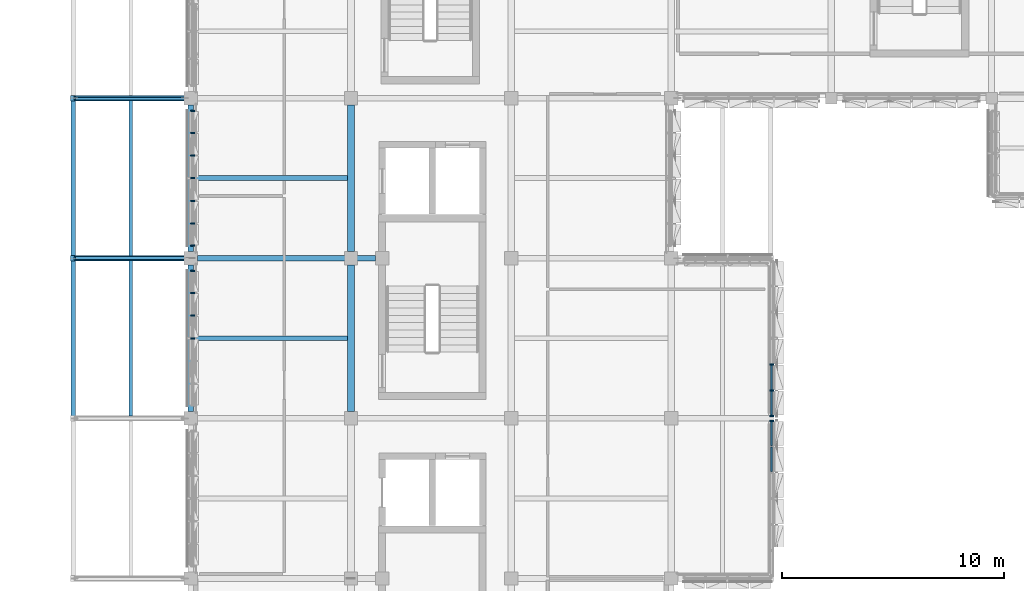
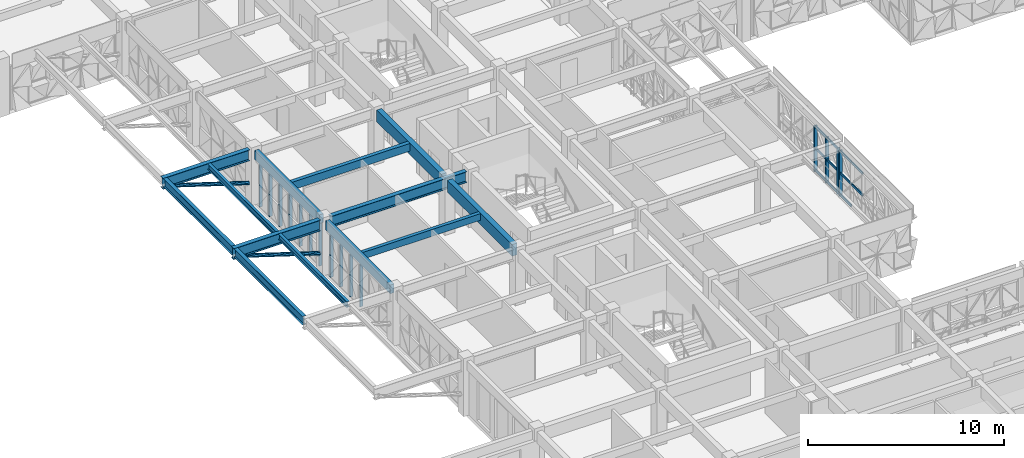
# One storey, part 5 of 99: 28 members, 13 beams, 4 elements without a shape of their own.
"""IFC4 building model written with IfcOpenShell, lengths in metres."""

from ifc_helpers import new_model, si_unit, direction, frame, origin, origin_2d, place, context, subcontext, project, spatial, rectangle, hollow_circle, i_section, extrude, material, material_profile, profile_set, type_object, element, aggregate, save


model = new_model("IFC4")

# Units and contexts
model_context = context("Model", 3, precision=1e-05, world=origin(), true_north=direction((0.0, 1.0)))
body_context = subcontext(model_context, "Body", "Model", "MODEL_VIEW")
ifc_project = project(units=[si_unit("LENGTHUNIT", "METRE"), si_unit("AREAUNIT", "SQUARE_METRE"), si_unit("VOLUMEUNIT", "CUBIC_METRE"), si_unit("PLANEANGLEUNIT", "RADIAN"), si_unit("MASSUNIT", "GRAM", prefix="KILO")], contexts=[model_context])

# Site, building, storey
site_placement = place(None, origin())
site = spatial("IfcSite", under=ifc_project, at=site_placement, CompositionType="ELEMENT")
building_placement = place(site_placement, origin())
building = spatial("IfcBuilding", under=site, at=building_placement, Name="Alvorim Cloister Faculty of Sciences", CompositionType="ELEMENT")
storey_placement = place(building_placement, frame((0.0, 0.0, 12.14990234375)))
storey = spatial("IfcBuildingStorey", under=building, at=storey_placement, Name="L03", CompositionType="ELEMENT", Elevation=12.14990234375)

# Beams
ifc_material_1 = material(Name="Glulam GL32h", Category="wood")
ifc_material_profile_1 = material_profile(ifc_material_1, rectangle(XDim=0.300048828125, YDim=0.719970703125, at=origin_2d()), Name="GL32-BM-300x720")
ifc_profile_set_1 = profile_set([ifc_material_profile_1], Name="Glulam GL32h")
beam_type_1 = type_object("IfcBeamType", Name="BM-GL-300x720", PredefinedType="BEAM", material=ifc_profile_set_1)
for number, where, z_axis, x_axis, name in (
    (1, (14.39990234375, 29.10009765625, 3.030029296875), (0.0, 1.0, 0.0), (-1.0, 0.0, 0.0), "L03 Primary Girder BM-1606"),
    (2, (14.39990234375, 36.300048828125, 3.030029296875), (0.0, 1.0, 0.0), (-1.0, 0.0, 0.0), "L03 Primary Girder BM-1607"),
):
    element("IfcBeam", number, at=place(storey_placement, frame(where, z_axis=z_axis, x_axis=x_axis)), inside=storey, type_object=beam_type_1, Name=name, PredefinedType="BEAM", context=body_context, shape_type="SweptSolid", body=[
        extrude(rectangle(XDim=0.300048828125, YDim=0.719970703125, at=origin_2d()), origin(), (0.0, 0.0, 1.0), 6.599853515625),
    ])
ifc_material_2 = material(Name="Glulam GL28h", Category="wood")
ifc_material_profile_2 = material_profile(ifc_material_2, rectangle(XDim=0.199951171875, YDim=0.419921875, at=origin_2d()), Name="GL28-JST-200x420")
ifc_profile_set_2 = profile_set([ifc_material_profile_2], Name="Glulam GL28h")
beam_type_2 = type_object("IfcBeamType", Name="BM-JST-GL-200x420", PredefinedType="JOIST", material=ifc_profile_set_2)
beam_1_placement = place(storey_placement, frame((7.320068359375, 32.39990234375, 3.18017578125), z_axis=(1.0, 0.0, 0.0), x_axis=(0.0, 1.0, 0.0)))
element("IfcBeam", 3, at=beam_1_placement, inside=storey, type_object=beam_type_2, Name="L03 Secondary Floor Joist BM-1680", PredefinedType="JOIST", context=body_context, shape_type="SweptSolid", body=[
    extrude(rectangle(XDim=0.199951171875, YDim=0.419921875, at=origin_2d()), origin(), (0.0, 0.0, 1.0), 6.929931640625),
])
ifc_material_profile_3 = material_profile(ifc_material_2, rectangle(XDim=0.219970703125, YDim=0.47998046875, at=origin_2d()), Name="GL28-JST-220x480")
ifc_profile_set_3 = profile_set([ifc_material_profile_3], Name="Glulam GL28h")
beam_type_3 = type_object("IfcBeamType", Name="BM-JST-GL-220x480", PredefinedType="JOIST", material=ifc_profile_set_3)
beam_2_placement = place(storey_placement, frame((7.320068359375, 39.60009765625, 3.150146484375), z_axis=(1.0, 0.0, 0.0), x_axis=(0.0, 1.0, 0.0)))
element("IfcBeam", 4, at=beam_2_placement, inside=storey, type_object=beam_type_3, Name="L03 Secondary Floor Joist BM-1681", PredefinedType="JOIST", context=body_context, shape_type="SweptSolid", body=[
    extrude(rectangle(XDim=0.219970703125, YDim=0.47998046875, at=origin_2d()), origin(), (0.0, 0.0, 1.0), 6.929931640625),
])
ifc_material_profile_4 = material_profile(ifc_material_2, rectangle(XDim=0.239990234375, YDim=0.5400390625, at=origin_2d()), Name="GL28-SPD-240x540")
ifc_profile_set_4 = profile_set([ifc_material_profile_4], Name="Glulam GL28h")
beam_type_4 = type_object("IfcBeamType", Name="BM-SPD-GL-240x540", PredefinedType="SPANDREL", material=ifc_profile_set_4)
for number, where, z_axis, x_axis, name in (
    (5, (7.199951171875, 29.10009765625, 3.1201171875), (0.0, 1.0, 0.0), (-1.0, 0.0, 0.0), "L03 Primary Girder BM-1590"),
    (6, (7.199951171875, 36.300048828125, 3.1201171875), (0.0, 1.0, 0.0), (-1.0, 0.0, 0.0), "L03 Primary Girder BM-1591"),
):
    element("IfcBeam", number, at=place(storey_placement, frame(where, z_axis=z_axis, x_axis=x_axis)), inside=storey, type_object=beam_type_4, Name=name, PredefinedType="SPANDREL", context=body_context, shape_type="SweptSolid", body=[
        extrude(rectangle(XDim=0.239990234375, YDim=0.5400390625, at=origin_2d()), origin(), (0.0, 0.0, 1.0), 6.599853515625),
    ])
ifc_material_3 = material(Name="Steel ASTM A572 Grade 50", Category="steel")
ifc_material_profile_5 = material_profile(ifc_material_3, i_section(OverallWidth=0.1708984375, OverallDepth=0.35498046875, WebThickness=0.007080078125, FlangeThickness=0.01171875, FilletRadius=0.012939453125, at=origin_2d()), Name="W360x51.0")
ifc_profile_set_5 = profile_set([ifc_material_profile_5], Name="Steel ASTM A572 Grade 50")
beam_type_5 = type_object("IfcBeamType", Name="BM-STL-W360", PredefinedType="JOIST", material=ifc_profile_set_5)
for number, where, z_axis, x_axis, name in (
    (7, (4.5, 28.909912109375, 3.212646484375), (0.0, 1.0, 0.0), (-1.0, 0.0, 0.0), "L03 Cantilever Deck Joist BM-0076"),
    (8, (4.5, 36.110107421875, 3.212646484375), (0.0, 1.0, 0.0), (-1.0, 0.0, 0.0), "L03 Cantilever Deck Joist BM-0078"),
):
    element("IfcBeam", number, at=place(storey_placement, frame(where, z_axis=z_axis, x_axis=x_axis)), inside=storey, type_object=beam_type_5, Name=name, PredefinedType="JOIST", context=body_context, shape_type="SweptSolid", body=[
        extrude(i_section(OverallWidth=0.1708984375, OverallDepth=0.35498046875, WebThickness=0.007080078125, FlangeThickness=0.01171875, FilletRadius=0.012939453125, at=origin_2d()), origin(), (0.0, 0.0, 1.0), 6.97998046875),
    ])
ifc_material_profile_6 = material_profile(ifc_material_3, i_section(OverallWidth=0.208984375, OverallDepth=0.532958984375, WebThickness=0.01025390625, FlangeThickness=0.015625, FilletRadius=0.01611328125, at=origin_2d()), Name="W530x92.0")
ifc_profile_set_6 = profile_set([ifc_material_profile_6], Name="Steel ASTM A572 Grade 50")
beam_type_6 = type_object("IfcBeamType", Name="BM-STL-W530", PredefinedType="BEAM", material=ifc_profile_set_6)
for number, where, z_axis, x_axis, name in (
    (9, (1.919921875, 28.909912109375, 3.12353515625), (0.0, 1.0, 0.0), (-1.0, 0.0, 0.0), "L03 Cantilever Tip Header Girder BM-0075"),
    (10, (1.919921875, 36.110107421875, 3.12353515625), (0.0, 1.0, 0.0), (-1.0, 0.0, 0.0), "L03 Cantilever Tip Header Girder BM-0077"),
):
    element("IfcBeam", number, at=place(storey_placement, frame(where, z_axis=z_axis, x_axis=x_axis)), inside=storey, type_object=beam_type_6, Name=name, PredefinedType="BEAM", context=body_context, shape_type="SweptSolid", body=[
        extrude(i_section(OverallWidth=0.208984375, OverallDepth=0.532958984375, WebThickness=0.01025390625, FlangeThickness=0.015625, FilletRadius=0.01611328125, at=origin_2d()), origin(), (0.0, 0.0, 1.0), 6.97998046875),
    ])
ifc_material_profile_7 = material_profile(ifc_material_3, i_section(OverallWidth=0.25390625, OverallDepth=0.68408203125, WebThickness=0.012451171875, FlangeThickness=0.01904296875, FilletRadius=0.01904296875, at=origin_2d()), Name="W690x140.0")
ifc_profile_set_7 = profile_set([ifc_material_profile_7], Name="Steel ASTM A572 Grade 50")
beam_type_7 = type_object("IfcBeamType", Name="BM-STL-W690", PredefinedType="BEAM", material=ifc_profile_set_7)
beam_3_placement = place(storey_placement, frame((7.5, 36.0, 3.048095703125), z_axis=(1.0, 0.0, 0.0), x_axis=(0.0, 1.0, 0.0)))
element("IfcBeam", 11, at=beam_3_placement, inside=storey, type_object=beam_type_7, Name="L03 Cantilever Backspan Girder BM-0065", PredefinedType="BEAM", context=body_context, shape_type="SweptSolid", body=[
    extrude(i_section(OverallWidth=0.25390625, OverallDepth=0.68408203125, WebThickness=0.012451171875, FlangeThickness=0.01904296875, FilletRadius=0.01904296875, at=origin_2d()), origin(), (0.0, 0.0, 1.0), 8.0),
])
for number, where, z_axis, x_axis, name in (
    (12, (1.800048828125, 36.0, 3.048095703125), (1.0, 0.0, 0.0), (0.0, 1.0, 0.0), "L03 Cantilever Overhang Girder BM-0066"),
    (13, (1.800048828125, 43.199951171875, 3.048095703125), (1.0, 0.0, 0.0), (0.0, 1.0, 0.0), "L03 Cantilever Overhang Girder BM-0068"),
):
    element("IfcBeam", number, at=place(storey_placement, frame(where, z_axis=z_axis, x_axis=x_axis)), inside=storey, type_object=beam_type_7, Name=name, PredefinedType="BEAM", context=body_context, shape_type="SweptSolid", body=[
        extrude(i_section(OverallWidth=0.25390625, OverallDepth=0.68408203125, WebThickness=0.012451171875, FlangeThickness=0.01904296875, FilletRadius=0.01904296875, at=origin_2d()), origin(), (0.0, 0.0, 1.0), 5.099853515625),
    ])

# Curtain wall, members
ifc_material_4 = material(Name="Aluminium and Low-E Glass Curtain Wall", Category="aluminium")
curtain_wall_type_1 = type_object("IfcCurtainWallType", Name="CW-TRI-6120x2850", PredefinedType="USERDEFINED", material=ifc_material_4)
curtain_wall_1_placement = place(storey_placement, origin())
curtain_wall_1 = element("IfcCurtainWall", 14, at=curtain_wall_1_placement, inside=storey, type_object=curtain_wall_type_1, Name="L03 Diagonal Cassette Curtain Wall CW-0101", ObjectType="UNITISED CURTAIN WALL", PredefinedType="USERDEFINED")
ifc_material_5 = material(Name="Aluminium Alloy 6063-T6", Category="aluminium")
ifc_material_profile_8 = material_profile(ifc_material_5, rectangle(XDim=0.06494140625, YDim=0.179931640625, at=origin_2d()), Name="ALU-MUL-65x180")
ifc_profile_set_8 = profile_set([ifc_material_profile_8], Name="Aluminium Alloy 6063-T6")
member_type_1 = type_object("IfcMemberType", Name="CW-MUL-65x180", PredefinedType="MULLION", material=ifc_profile_set_8)
member_1_placement = place(storey_placement, frame((7.2900390625, 32.39990234375, 0.0), z_axis=(0.0, 0.0, 1.0), x_axis=(0.0, 1.0, 0.0)))
member_1 = element("IfcMember", 15, at=member_1_placement, type_object=member_type_1, Name="CW-0101 Mullion 4", PredefinedType="MULLION", context=body_context, shape_type="SweptSolid", body=[
    extrude(rectangle(XDim=0.06494140625, YDim=0.179931640625, at=origin_2d()), origin(), (0.0, 0.0, 1.0), 2.85009765625),
])
member_2_placement = place(storey_placement, frame((7.2900390625, 33.419921875, 0.0), z_axis=(0.0, 0.0, 1.0), x_axis=(0.0, 1.0, 0.0)))
member_2 = element("IfcMember", 16, at=member_2_placement, type_object=member_type_1, Name="CW-0101 Mullion 5", PredefinedType="MULLION", context=body_context, shape_type="SweptSolid", body=[
    extrude(rectangle(XDim=0.06494140625, YDim=0.179931640625, at=origin_2d()), origin(), (0.0, 0.0, 1.0), 2.85009765625),
])
member_3_placement = place(storey_placement, frame((7.2900390625, 34.43994140625, 0.0), z_axis=(0.0, 0.0, 1.0), x_axis=(0.0, 1.0, 0.0)))
member_3 = element("IfcMember", 17, at=member_3_placement, type_object=member_type_1, Name="CW-0101 Mullion 6", PredefinedType="MULLION", context=body_context, shape_type="SweptSolid", body=[
    extrude(rectangle(XDim=0.06494140625, YDim=0.179931640625, at=origin_2d()), origin(), (0.0, 0.0, 1.0), 2.85009765625),
])
member_4_placement = place(storey_placement, frame((7.2900390625, 35.427490234375, 0.0), z_axis=(0.0, 0.0, 1.0), x_axis=(0.0, 1.0, 0.0)))
member_4 = element("IfcMember", 18, at=member_4_placement, type_object=member_type_1, Name="CW-0101 Mullion 7", PredefinedType="MULLION", context=body_context, shape_type="SweptSolid", body=[
    extrude(rectangle(XDim=0.06494140625, YDim=0.179931640625, at=origin_2d()), origin(), (0.0, 0.0, 1.0), 2.85009765625),
])
aggregate(curtain_wall_1, [member_1, member_2, member_3, member_4])

curtain_wall_2_placement = place(storey_placement, origin())
curtain_wall_2 = element("IfcCurtainWall", 19, at=curtain_wall_2_placement, inside=storey, type_object=curtain_wall_type_1, Name="L03 Diagonal Cassette Curtain Wall CW-0102", ObjectType="UNITISED CURTAIN WALL", PredefinedType="USERDEFINED")
member_5_placement = place(storey_placement, frame((7.2900390625, 36.572509765625, 0.0), z_axis=(0.0, 0.0, 1.0), x_axis=(0.0, 1.0, 0.0)))
member_5 = element("IfcMember", 20, at=member_5_placement, type_object=member_type_1, Name="CW-0102 Mullion 1", PredefinedType="MULLION", context=body_context, shape_type="SweptSolid", body=[
    extrude(rectangle(XDim=0.06494140625, YDim=0.179931640625, at=origin_2d()), origin(), (0.0, 0.0, 1.0), 2.85009765625),
])
member_6_placement = place(storey_placement, frame((7.2900390625, 37.56005859375, 0.0), z_axis=(0.0, 0.0, 1.0), x_axis=(0.0, 1.0, 0.0)))
member_6 = element("IfcMember", 21, at=member_6_placement, type_object=member_type_1, Name="CW-0102 Mullion 2", PredefinedType="MULLION", context=body_context, shape_type="SweptSolid", body=[
    extrude(rectangle(XDim=0.06494140625, YDim=0.179931640625, at=origin_2d()), origin(), (0.0, 0.0, 1.0), 2.85009765625),
])
member_7_placement = place(storey_placement, frame((7.2900390625, 38.580078125, 0.0), z_axis=(0.0, 0.0, 1.0), x_axis=(0.0, 1.0, 0.0)))
member_7 = element("IfcMember", 22, at=member_7_placement, type_object=member_type_1, Name="CW-0102 Mullion 3", PredefinedType="MULLION", context=body_context, shape_type="SweptSolid", body=[
    extrude(rectangle(XDim=0.06494140625, YDim=0.179931640625, at=origin_2d()), origin(), (0.0, 0.0, 1.0), 2.85009765625),
])
member_8_placement = place(storey_placement, frame((7.2900390625, 39.60009765625, 0.0), z_axis=(0.0, 0.0, 1.0), x_axis=(0.0, 1.0, 0.0)))
member_8 = element("IfcMember", 23, at=member_8_placement, type_object=member_type_1, Name="CW-0102 Mullion 4", PredefinedType="MULLION", context=body_context, shape_type="SweptSolid", body=[
    extrude(rectangle(XDim=0.06494140625, YDim=0.179931640625, at=origin_2d()), origin(), (0.0, 0.0, 1.0), 2.85009765625),
])
member_9_placement = place(storey_placement, frame((7.2900390625, 40.6201171875, 0.0), z_axis=(0.0, 0.0, 1.0), x_axis=(0.0, 1.0, 0.0)))
member_9 = element("IfcMember", 24, at=member_9_placement, type_object=member_type_1, Name="CW-0102 Mullion 5", PredefinedType="MULLION", context=body_context, shape_type="SweptSolid", body=[
    extrude(rectangle(XDim=0.06494140625, YDim=0.179931640625, at=origin_2d()), origin(), (0.0, 0.0, 1.0), 2.85009765625),
])
member_10_placement = place(storey_placement, frame((7.2900390625, 41.639892578125, 0.0), z_axis=(0.0, 0.0, 1.0), x_axis=(0.0, 1.0, 0.0)))
member_10 = element("IfcMember", 25, at=member_10_placement, type_object=member_type_1, Name="CW-0102 Mullion 6", PredefinedType="MULLION", context=body_context, shape_type="SweptSolid", body=[
    extrude(rectangle(XDim=0.06494140625, YDim=0.179931640625, at=origin_2d()), origin(), (0.0, 0.0, 1.0), 2.85009765625),
])
member_11_placement = place(storey_placement, frame((7.2900390625, 42.62744140625, 0.0), z_axis=(0.0, 0.0, 1.0), x_axis=(0.0, 1.0, 0.0)))
member_11 = element("IfcMember", 26, at=member_11_placement, type_object=member_type_1, Name="CW-0102 Mullion 7", PredefinedType="MULLION", context=body_context, shape_type="SweptSolid", body=[
    extrude(rectangle(XDim=0.06494140625, YDim=0.179931640625, at=origin_2d()), origin(), (0.0, 0.0, 1.0), 2.85009765625),
])
aggregate(curtain_wall_2, [member_5, member_6, member_7, member_8, member_9, member_10, member_11])

curtain_wall_type_2 = type_object("IfcCurtainWallType", Name="CW-TRI-7040x2857", PredefinedType="USERDEFINED", material=ifc_material_4)
curtain_wall_3_placement = place(storey_placement, origin())
curtain_wall_3 = element("IfcCurtainWall", 27, at=curtain_wall_3_placement, inside=storey, type_object=curtain_wall_type_2, Name="L03 Diagonal Cassette Curtain Wall CW-0141", ObjectType="UNITISED CURTAIN WALL", PredefinedType="USERDEFINED")
member_12_placement = place(storey_placement, frame((33.31005859375, 28.91259765625, 0.0), z_axis=(0.0, 0.0, 1.0), x_axis=(0.0, 1.0, 0.0)))
member_12 = element("IfcMember", 28, at=member_12_placement, type_object=member_type_1, Name="CW-0141 Mullion 1", PredefinedType="MULLION", context=body_context, shape_type="SweptSolid", body=[
    extrude(rectangle(XDim=0.06494140625, YDim=0.179931640625, at=origin_2d()), origin(), (0.0, 0.0, 1.0), 2.857177734375),
])
member_13_placement = place(storey_placement, frame((33.31005859375, 30.05322265625, 0.0), z_axis=(0.0, 0.0, 1.0), x_axis=(0.0, 1.0, 0.0)))
member_13 = element("IfcMember", 29, at=member_13_placement, type_object=member_type_1, Name="CW-0141 Mullion 2", PredefinedType="MULLION", context=body_context, shape_type="SweptSolid", body=[
    extrude(rectangle(XDim=0.06494140625, YDim=0.179931640625, at=origin_2d()), origin(), (0.0, 0.0, 1.0), 2.857177734375),
])
member_14_placement = place(storey_placement, frame((33.31005859375, 31.226806640625, 0.0), z_axis=(0.0, 0.0, 1.0), x_axis=(0.0, 1.0, 0.0)))
member_14 = element("IfcMember", 30, at=member_14_placement, type_object=member_type_1, Name="CW-0141 Mullion 3", PredefinedType="MULLION", context=body_context, shape_type="SweptSolid", body=[
    extrude(rectangle(XDim=0.06494140625, YDim=0.179931640625, at=origin_2d()), origin(), (0.0, 0.0, 1.0), 2.857177734375),
])

# Curtain wall, member
curtain_wall_4_placement = place(storey_placement, origin())
curtain_wall_4 = element("IfcCurtainWall", 31, at=curtain_wall_4_placement, inside=storey, type_object=curtain_wall_type_2, Name="L03 Diagonal Cassette Curtain Wall CW-0142", ObjectType="UNITISED CURTAIN WALL", PredefinedType="USERDEFINED")
member_15_placement = place(storey_placement, frame((33.31005859375, 28.6875, 0.0), z_axis=(0.0, 0.0, 1.0), x_axis=(0.0, 1.0, 0.0)))
member_15 = element("IfcMember", 32, at=member_15_placement, type_object=member_type_1, Name="CW-0142 Mullion 7", PredefinedType="MULLION", context=body_context, shape_type="SweptSolid", body=[
    extrude(rectangle(XDim=0.06494140625, YDim=0.179931640625, at=origin_2d()), origin(), (0.0, 0.0, 1.0), 2.857177734375),
])

# Member
ifc_material_profile_9 = material_profile(ifc_material_5, rectangle(XDim=0.06494140625, YDim=0.139892578125, at=origin_2d()), Name="ALU-TRN-65x140")
ifc_profile_set_9 = profile_set([ifc_material_profile_9], Name="Aluminium Alloy 6063-T6")
member_type_2 = type_object("IfcMemberType", Name="CW-TRN-65x140", PredefinedType="USERDEFINED", material=ifc_profile_set_9)
member_16_placement = place(storey_placement, frame((33.31005859375, 28.945068359375, 0.070068359375), z_axis=(0.0, 1.0, 0.0), x_axis=(-1.0, 0.0, 0.0)))
member_16 = element("IfcMember", 33, at=member_16_placement, type_object=member_type_2, Name="CW-0141 Transom 1.1", ObjectType="TRANSOM", PredefinedType="USERDEFINED", context=body_context, shape_type="SweptSolid", body=[
    extrude(rectangle(XDim=0.06494140625, YDim=0.139892578125, at=origin_2d()), origin(), (0.0, 0.0, 1.0), 1.07568359375),
])

member_17_placement = place(storey_placement, frame((33.31005859375, 28.945068359375, 1.4287109375), z_axis=(0.0, 1.0, 0.0), x_axis=(-1.0, 0.0, 0.0)))
member_17 = element("IfcMember", 34, at=member_17_placement, type_object=member_type_2, Name="CW-0141 Transom 1.2", ObjectType="TRANSOM", PredefinedType="USERDEFINED", context=body_context, shape_type="SweptSolid", body=[
    extrude(rectangle(XDim=0.06494140625, YDim=0.139892578125, at=origin_2d()), origin(), (0.0, 0.0, 1.0), 1.07568359375),
])

member_18_placement = place(storey_placement, frame((33.31005859375, 28.945068359375, 2.787109375), z_axis=(0.0, 1.0, 0.0), x_axis=(-1.0, 0.0, 0.0)))
member_18 = element("IfcMember", 35, at=member_18_placement, type_object=member_type_2, Name="CW-0141 Transom 1.3", ObjectType="TRANSOM", PredefinedType="USERDEFINED", context=body_context, shape_type="SweptSolid", body=[
    extrude(rectangle(XDim=0.06494140625, YDim=0.139892578125, at=origin_2d()), origin(), (0.0, 0.0, 1.0), 1.07568359375),
])

member_19_placement = place(storey_placement, frame((33.31005859375, 30.0859375, 0.070068359375), z_axis=(0.0, 1.0, 0.0), x_axis=(-1.0, 0.0, 0.0)))
member_19 = element("IfcMember", 36, at=member_19_placement, type_object=member_type_2, Name="CW-0141 Transom 2.1", ObjectType="TRANSOM", PredefinedType="USERDEFINED", context=body_context, shape_type="SweptSolid", body=[
    extrude(rectangle(XDim=0.06494140625, YDim=0.139892578125, at=origin_2d()), origin(), (0.0, 0.0, 1.0), 1.108154296875),
])

member_20_placement = place(storey_placement, frame((33.31005859375, 30.0859375, 1.4287109375), z_axis=(0.0, 1.0, 0.0), x_axis=(-1.0, 0.0, 0.0)))
member_20 = element("IfcMember", 37, at=member_20_placement, type_object=member_type_2, Name="CW-0141 Transom 2.2", ObjectType="TRANSOM", PredefinedType="USERDEFINED", context=body_context, shape_type="SweptSolid", body=[
    extrude(rectangle(XDim=0.06494140625, YDim=0.139892578125, at=origin_2d()), origin(), (0.0, 0.0, 1.0), 1.108154296875),
])

member_21_placement = place(storey_placement, frame((33.31005859375, 30.0859375, 2.787109375), z_axis=(0.0, 1.0, 0.0), x_axis=(-1.0, 0.0, 0.0)))
member_21 = element("IfcMember", 38, at=member_21_placement, type_object=member_type_2, Name="CW-0141 Transom 2.3", ObjectType="TRANSOM", PredefinedType="USERDEFINED", context=body_context, shape_type="SweptSolid", body=[
    extrude(rectangle(XDim=0.06494140625, YDim=0.139892578125, at=origin_2d()), origin(), (0.0, 0.0, 1.0), 1.108154296875),
])

aggregate(curtain_wall_3, [member_12, member_13, member_14, member_16, member_17, member_18, member_19, member_20, member_21])

member_22_placement = place(storey_placement, frame((33.31005859375, 26.40576171875, 1.4287109375), z_axis=(0.0, 1.0, 0.0), x_axis=(-1.0, 0.0, 0.0)))
member_22 = element("IfcMember", 39, at=member_22_placement, type_object=member_type_2, Name="CW-0142 Transom 5.2", ObjectType="TRANSOM", PredefinedType="USERDEFINED", context=body_context, shape_type="SweptSolid", body=[
    extrude(rectangle(XDim=0.06494140625, YDim=0.139892578125, at=origin_2d()), origin(), (0.0, 0.0, 1.0), 1.1083984375),
])

member_23_placement = place(storey_placement, frame((33.31005859375, 26.40576171875, 2.787109375), z_axis=(0.0, 1.0, 0.0), x_axis=(-1.0, 0.0, 0.0)))
member_23 = element("IfcMember", 40, at=member_23_placement, type_object=member_type_2, Name="CW-0142 Transom 5.3", ObjectType="TRANSOM", PredefinedType="USERDEFINED", context=body_context, shape_type="SweptSolid", body=[
    extrude(rectangle(XDim=0.06494140625, YDim=0.139892578125, at=origin_2d()), origin(), (0.0, 0.0, 1.0), 1.1083984375),
])

member_24_placement = place(storey_placement, frame((33.31005859375, 27.5791015625, 0.070068359375), z_axis=(0.0, 1.0, 0.0), x_axis=(-1.0, 0.0, 0.0)))
member_24 = element("IfcMember", 41, at=member_24_placement, type_object=member_type_2, Name="CW-0142 Transom 6.1", ObjectType="TRANSOM", PredefinedType="USERDEFINED", context=body_context, shape_type="SweptSolid", body=[
    extrude(rectangle(XDim=0.06494140625, YDim=0.139892578125, at=origin_2d()), origin(), (0.0, 0.0, 1.0), 1.075927734375),
])

member_25_placement = place(storey_placement, frame((33.31005859375, 27.5791015625, 1.4287109375), z_axis=(0.0, 1.0, 0.0), x_axis=(-1.0, 0.0, 0.0)))
member_25 = element("IfcMember", 42, at=member_25_placement, type_object=member_type_2, Name="CW-0142 Transom 6.2", ObjectType="TRANSOM", PredefinedType="USERDEFINED", context=body_context, shape_type="SweptSolid", body=[
    extrude(rectangle(XDim=0.06494140625, YDim=0.139892578125, at=origin_2d()), origin(), (0.0, 0.0, 1.0), 1.075927734375),
])

member_26_placement = place(storey_placement, frame((33.31005859375, 27.5791015625, 2.787109375), z_axis=(0.0, 1.0, 0.0), x_axis=(-1.0, 0.0, 0.0)))
member_26 = element("IfcMember", 43, at=member_26_placement, type_object=member_type_2, Name="CW-0142 Transom 6.3", ObjectType="TRANSOM", PredefinedType="USERDEFINED", context=body_context, shape_type="SweptSolid", body=[
    extrude(rectangle(XDim=0.06494140625, YDim=0.139892578125, at=origin_2d()), origin(), (0.0, 0.0, 1.0), 1.075927734375),
])

aggregate(curtain_wall_4, [member_15, member_22, member_23, member_24, member_25, member_26])

# Members
ifc_material_profile_10 = material_profile(ifc_material_3, hollow_circle(Radius=0.109619140625, WallThickness=0.010009765625, at=origin_2d()), Name="CHS219.1x10")
ifc_profile_set_10 = profile_set([ifc_material_profile_10], Name="Steel ASTM A572 Grade 50")
member_type_3 = type_object("IfcMemberType", Name="MB-BRC-CHS219", PredefinedType="BRACE", material=ifc_profile_set_10)
for number, where, z_axis, x_axis, name in (
    (44, (6.919921875, 36.0, 1.25), (-0.953578391509, 0.0, 0.301144900748), (0.0, -1.0, 0.0), "L03 Cantilever Raker Strut MB-0009"),
    (45, (6.919921875, 43.199951171875, 1.25), (-0.953578391509, 0.0, 0.301144900748), (0.0, -1.0, 0.0), "L03 Cantilever Raker Strut MB-0010"),
):
    element("IfcMember", number, at=place(storey_placement, frame(where, z_axis=z_axis, x_axis=x_axis)), inside=storey, type_object=member_type_3, Name=name, PredefinedType="BRACE", context=body_context, shape_type="SweptSolid", body=[
        extrude(hollow_circle(Radius=0.109619140625, WallThickness=0.010009765625, at=origin_2d()), origin(), (0.0, 0.0, 1.0), 5.180419921875),
    ])

save(model, "model.ifc")
